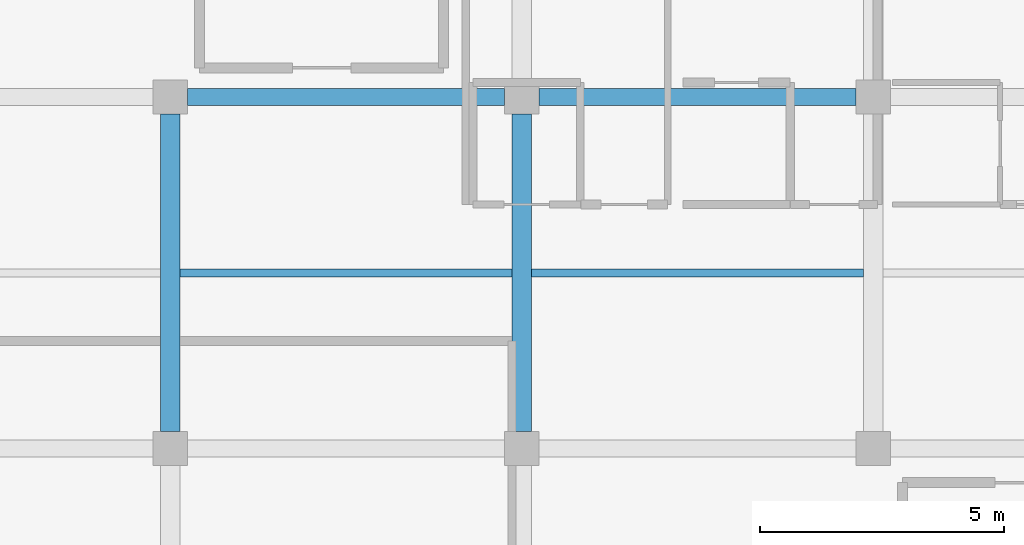
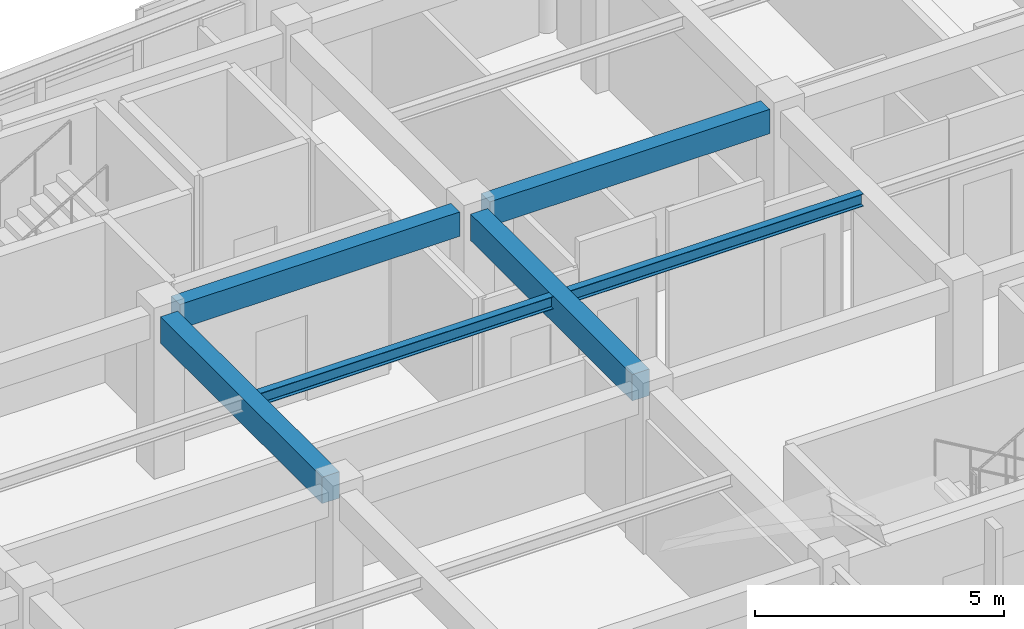
# One storey, part 40 of 113: 6 beams.
"""IFC4 building model written with IfcOpenShell, lengths in metres."""

from ifc_helpers import new_model, si_unit, direction, frame, origin, origin_2d, place, context, subcontext, project, spatial, rectangle, i_section, extrude, material, material_profile, profile_set, type_object, element, save


model = new_model("IFC4")

# Units and contexts
model_context = context("Model", 3, precision=1e-05, world=origin(), true_north=direction((0.0, 1.0)))
body_context = subcontext(model_context, "Body", "Model", "MODEL_VIEW")
ifc_project = project(units=[si_unit("LENGTHUNIT", "METRE"), si_unit("AREAUNIT", "SQUARE_METRE"), si_unit("VOLUMEUNIT", "CUBIC_METRE"), si_unit("PLANEANGLEUNIT", "RADIAN"), si_unit("MASSUNIT", "GRAM", prefix="KILO")], contexts=[model_context])

# Site, building, storey
site_placement = place(None, origin())
site = spatial("IfcSite", under=ifc_project, at=site_placement, CompositionType="ELEMENT")
building_placement = place(site_placement, origin())
building = spatial("IfcBuilding", under=site, at=building_placement, Name="Carrowvane Square Congress Hotel", CompositionType="ELEMENT")
storey_placement = place(building_placement, frame((0.0, 0.0, 15.0)))
storey = spatial("IfcBuildingStorey", under=building, at=storey_placement, Name="L03", CompositionType="ELEMENT", Elevation=15.0)

# Beams
ifc_material_1 = material(Name="Concrete C35/45", Category="concrete")
ifc_material_profile_1 = material_profile(ifc_material_1, rectangle(XDim=0.35009765625, YDim=0.60009765625, at=origin_2d()), Name="RC 350x600")
ifc_profile_set_1 = profile_set([ifc_material_profile_1], Name="Concrete C35/45")
beam_type_1 = type_object("IfcBeamType", Name="BM-RC-350x600", PredefinedType="BEAM", material=ifc_profile_set_1)
for number, where, z_axis, x_axis, name in (
    (1, (62.35009765625, 106.199951171875, 3.639892578125), (1.0, 0.0, 0.0), (0.0, 1.0, 0.0), "L04 girder Q/8-9"),
    (2, (69.550048828125, 106.199951171875, 3.639892578125), (1.0, 0.0, 0.0), (0.0, 1.0, 0.0), "L04 girder Q/9-10"),
):
    element("IfcBeam", number, at=place(storey_placement, frame(where, z_axis=z_axis, x_axis=x_axis)), inside=storey, type_object=beam_type_1, Name=name, PredefinedType="BEAM", context=body_context, shape_type="SweptSolid", body=[
        extrude(rectangle(XDim=0.35009765625, YDim=0.60009765625, at=origin_2d()), origin(), (0.0, 0.0, 1.0), 6.5),
    ])
ifc_material_2 = material(Name="Concrete C35/45", Category="concrete")
ifc_material_profile_2 = material_profile(ifc_material_2, rectangle(XDim=0.39990234375, YDim=0.64990234375, at=origin_2d()), Name="RC 400x650")
ifc_profile_set_2 = profile_set([ifc_material_profile_2], Name="Concrete C35/45")
beam_type_2 = type_object("IfcBeamType", Name="BM-RC-400x650", PredefinedType="BEAM", material=ifc_profile_set_2)
for number, where, z_axis, x_axis, name in (
    (3, (62.0, 99.35009765625, 3.614990234375), (0.0, 1.0, 0.0), (-1.0, 0.0, 0.0), "L04 girder 8/P-Q"),
    (4, (69.199951171875, 99.35009765625, 3.614990234375), (0.0, 1.0, 0.0), (-1.0, 0.0, 0.0), "L04 girder 9/P-Q"),
):
    element("IfcBeam", number, at=place(storey_placement, frame(where, z_axis=z_axis, x_axis=x_axis)), inside=storey, type_object=beam_type_2, Name=name, PredefinedType="BEAM", context=body_context, shape_type="SweptSolid", body=[
        extrude(rectangle(XDim=0.39990234375, YDim=0.64990234375, at=origin_2d()), origin(), (0.0, 0.0, 1.0), 6.5),
    ])
ifc_material_3 = material(Name="Steel S355", Category="steel")
ifc_material_profile_3 = material_profile(ifc_material_3, i_section(OverallWidth=0.165771484375, OverallDepth=0.306640625, WebThickness=0.006591796875, FlangeThickness=0.01171875, FilletRadius=0.0087890625, at=origin_2d()), Name="UKB 305x165x46")
ifc_profile_set_3 = profile_set([ifc_material_profile_3], Name="Steel S355")
beam_type_3 = type_object("IfcBeamType", Name="BM-ST-UKB305", PredefinedType="JOIST", material=ifc_profile_set_3)
for number, where, z_axis, x_axis, name in (
    (5, (62.199951171875, 102.60009765625, 3.78662109375), (1.0, 0.0, 0.0), (0.0, 1.0, 0.0), "L04 secondary joist 8-9"),
    (6, (69.39990234375, 102.60009765625, 3.78662109375), (1.0, 0.0, 0.0), (0.0, 1.0, 0.0), "L04 secondary joist 9-10"),
):
    element("IfcBeam", number, at=place(storey_placement, frame(where, z_axis=z_axis, x_axis=x_axis)), inside=storey, type_object=beam_type_3, Name=name, PredefinedType="JOIST", context=body_context, shape_type="SweptSolid", body=[
        extrude(i_section(OverallWidth=0.165771484375, OverallDepth=0.306640625, WebThickness=0.006591796875, FlangeThickness=0.01171875, FilletRadius=0.0087890625, at=origin_2d()), origin(), (0.0, 0.0, 1.0), 6.800048828125),
    ])

save(model, "model.ifc")
